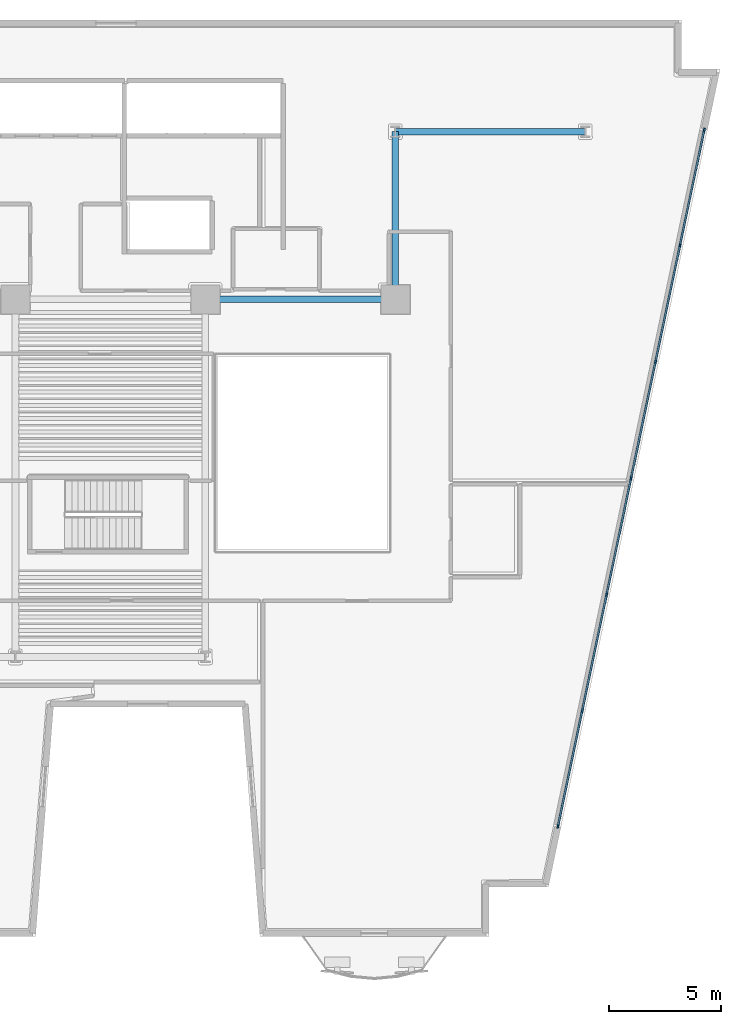
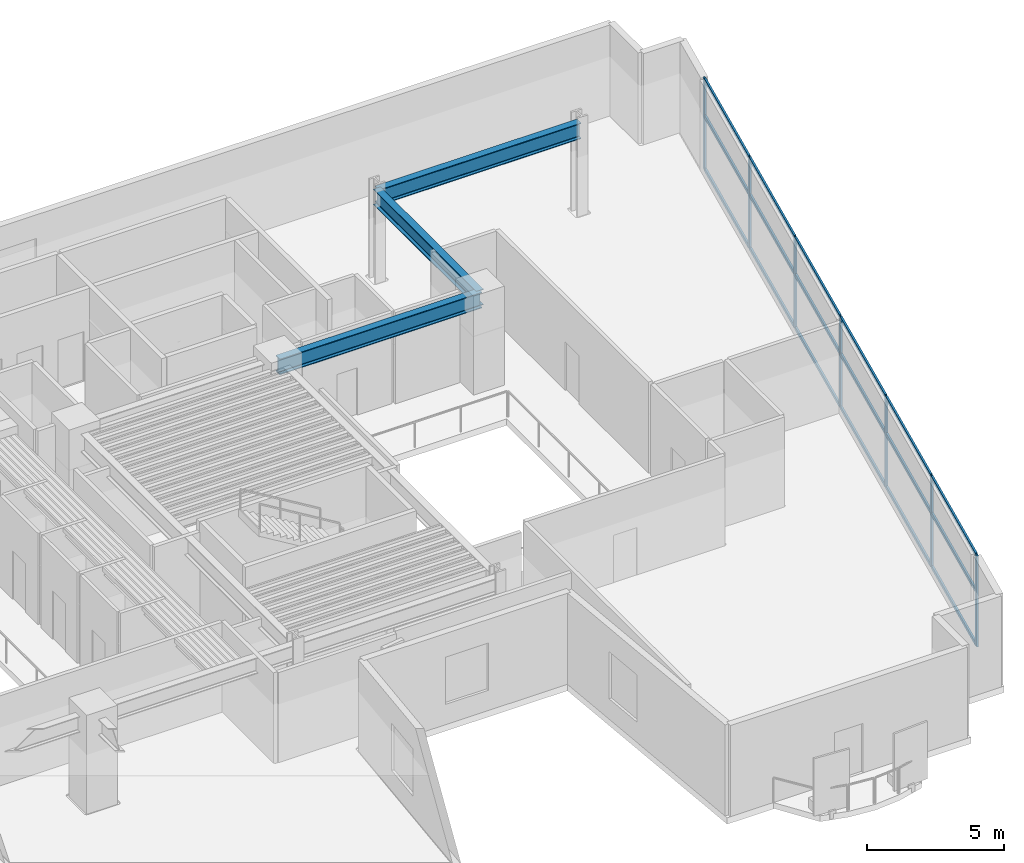
# One storey, part 2 of 11: 25 members, 3 beams, 1 element without a shape of its own.
"""IFC4 building model written with IfcOpenShell, lengths in metres."""

from ifc_helpers import new_model, si_unit, direction, frame, origin, origin_2d, place, context, subcontext, project, spatial, rectangle, i_section, extrude, material, layer, layer_set, material_profile, profile_set, type_object, element, aggregate, save


model = new_model("IFC4")

# Units and contexts
model_context = context("Model", 3, precision=1e-05, world=origin(), true_north=direction((0.0, 1.0)))
body_context = subcontext(model_context, "Body", "Model", "MODEL_VIEW")
ifc_project = project(units=[si_unit("LENGTHUNIT", "METRE"), si_unit("AREAUNIT", "SQUARE_METRE"), si_unit("VOLUMEUNIT", "CUBIC_METRE"), si_unit("PLANEANGLEUNIT", "RADIAN"), si_unit("MASSUNIT", "GRAM", prefix="KILO")], contexts=[model_context])

# Site, building, storey
site_placement = place(None, origin())
site = spatial("IfcSite", under=ifc_project, at=site_placement, CompositionType="ELEMENT")
building_placement = place(site_placement, origin())
building = spatial("IfcBuilding", under=site, at=building_placement, Name="Caeloran Harvest Quay", CompositionType="ELEMENT")
storey_placement = place(building_placement, frame((0.0, 0.0, 101.800048828125)))
storey = spatial("IfcBuildingStorey", under=building, at=storey_placement, Name="L23", CompositionType="ELEMENT", Elevation=101.800048828125)

# Beams
ifc_material_1 = material(Name="Steel S355J2", Category="steel")
ifc_material_profile_1 = material_profile(ifc_material_1, i_section(OverallWidth=0.300048828125, OverallDepth=0.699951171875, WebThickness=0.01708984375, FlangeThickness=0.031982421875, FilletRadius=0.027099609375, at=origin_2d()), Name="HE 700 B")
ifc_profile_set_1 = profile_set([ifc_material_profile_1], Name="Steel S355J2")
beam_type = type_object("IfcBeamType", Name="BM-PG-2-HE_700_B", PredefinedType="BEAM", material=ifc_profile_set_1)
for number, where, z_axis, x_axis, name in (
    (1, (34.0, 31.0, 3.699951171875), (1.0, 0.0, 0.0), (0.0, 1.0, 0.0), "L23 Primary East-West Girder Y=31.0"),
    (2, (42.5, 38.5, 3.699951171875), (1.0, 0.0, 0.0), (0.0, 1.0, 0.0), "L23 Primary East-West Girder Y=38.5"),
):
    element("IfcBeam", number, at=place(storey_placement, frame(where, z_axis=z_axis, x_axis=x_axis)), inside=storey, type_object=beam_type, Name=name, PredefinedType="BEAM", context=body_context, shape_type="SweptSolid", body=[
        extrude(i_section(OverallWidth=0.300048828125, OverallDepth=0.699951171875, WebThickness=0.01708984375, FlangeThickness=0.031982421875, FilletRadius=0.027099609375, at=origin_2d()), origin(), (0.0, 0.0, 1.0), 8.5),
    ])
beam_placement = place(storey_placement, frame((42.5, 31.0, 3.699951171875), z_axis=(0.0, 1.0, 0.0), x_axis=(-1.0, 0.0, 0.0)))
element("IfcBeam", 3, at=beam_placement, inside=storey, type_object=beam_type, Name="L23 Primary North-South Girder X=42.5", PredefinedType="BEAM", context=body_context, shape_type="SweptSolid", body=[
    extrude(i_section(OverallWidth=0.300048828125, OverallDepth=0.699951171875, WebThickness=0.01708984375, FlangeThickness=0.031982421875, FilletRadius=0.027099609375, at=origin_2d()), origin(), (0.0, 0.0, 1.0), 7.5),
])

# Curtain wall, members
ifc_material_2 = material(Name="Aluminium 6063-T6 and Low-E Glazing", Category="aluminium")
ifc_layer = layer(ifc_material_2, 0.199951171875, Name="Aluminium 6063-T6 and Low-E Glazing")
ifc_layer_set = layer_set([ifc_layer], Name="Aluminium 6063-T6 and Low-E Glazing")
curtain_wall_type = type_object("IfcCurtainWallType", Name="CW-SYS-CW-2", PredefinedType="USERDEFINED", material=ifc_layer_set)
curtain_wall_placement = place(storey_placement, origin())
curtain_wall = element("IfcCurtainWall", 4, at=curtain_wall_placement, inside=storey, type_object=curtain_wall_type, Name="L23 Unitised Curtain Wall CW-2 Run 9", ObjectType="CURTAIN_WALL", PredefinedType="USERDEFINED")
ifc_material_3 = material(Name="Aluminium 6063-T6", Category="aluminium")
ifc_material_profile_2 = material_profile(ifc_material_3, rectangle(XDim=0.080078125, YDim=0.179931640625, at=origin_2d()), Name="CW-MULLION-180")
ifc_profile_set_2 = profile_set([ifc_material_profile_2], Name="Aluminium 6063-T6")
member_type_1 = type_object("IfcMemberType", Name="CW-MULLION-180", PredefinedType="MULLION", material=ifc_profile_set_2)
member_1_placement = place(storey_placement, frame((56.322509765625, 38.576416015625, 0.0), z_axis=(0.0, 0.0, 1.0), x_axis=(0.978639691881, -0.205582960081, 0.0)))
member_1 = element("IfcMember", 5, at=member_1_placement, type_object=member_type_1, Name="CW-2 mullion 1", PredefinedType="MULLION", context=body_context, shape_type="SweptSolid", body=[
    extrude(rectangle(XDim=0.080078125, YDim=0.179931640625, at=origin_2d()), origin(), (0.0, 0.0, 1.0), 4.050048828125),
])
member_2_placement = place(storey_placement, frame((55.2373046875, 33.410400390625, 0.0), z_axis=(0.0, 0.0, 1.0), x_axis=(0.978639691881, -0.205582960081, 0.0)))
member_2 = element("IfcMember", 6, at=member_2_placement, type_object=member_type_1, Name="CW-2 mullion 2", PredefinedType="MULLION", context=body_context, shape_type="SweptSolid", body=[
    extrude(rectangle(XDim=0.080078125, YDim=0.179931640625, at=origin_2d()), origin(), (0.0, 0.0, 1.0), 4.050048828125),
])
member_3_placement = place(storey_placement, frame((54.143798828125, 28.205078125, 0.0), z_axis=(0.0, 0.0, 1.0), x_axis=(0.978639691881, -0.205582960081, 0.0)))
member_3 = element("IfcMember", 7, at=member_3_placement, type_object=member_type_1, Name="CW-2 mullion 3", PredefinedType="MULLION", context=body_context, shape_type="SweptSolid", body=[
    extrude(rectangle(XDim=0.080078125, YDim=0.179931640625, at=origin_2d()), origin(), (0.0, 0.0, 1.0), 4.050048828125),
])
member_4_placement = place(storey_placement, frame((53.050537109375, 23.0, 0.0), z_axis=(0.0, 0.0, 1.0), x_axis=(0.978639691881, -0.205582960081, 0.0)))
member_4 = element("IfcMember", 8, at=member_4_placement, type_object=member_type_1, Name="CW-2 mullion 4", PredefinedType="MULLION", context=body_context, shape_type="SweptSolid", body=[
    extrude(rectangle(XDim=0.080078125, YDim=0.179931640625, at=origin_2d()), origin(), (0.0, 0.0, 1.0), 4.050048828125),
])
member_5_placement = place(storey_placement, frame((51.95703125, 17.794921875, 0.0), z_axis=(0.0, 0.0, 1.0), x_axis=(0.978639691881, -0.205582960081, 0.0)))
member_5 = element("IfcMember", 9, at=member_5_placement, type_object=member_type_1, Name="CW-2 mullion 5", PredefinedType="MULLION", context=body_context, shape_type="SweptSolid", body=[
    extrude(rectangle(XDim=0.080078125, YDim=0.179931640625, at=origin_2d()), origin(), (0.0, 0.0, 1.0), 4.050048828125),
])
member_6_placement = place(storey_placement, frame((50.863525390625, 12.589599609375, 0.0), z_axis=(0.0, 0.0, 1.0), x_axis=(0.978639691881, -0.205582960081, 0.0)))
member_6 = element("IfcMember", 10, at=member_6_placement, type_object=member_type_1, Name="CW-2 mullion 6", PredefinedType="MULLION", context=body_context, shape_type="SweptSolid", body=[
    extrude(rectangle(XDim=0.080078125, YDim=0.179931640625, at=origin_2d()), origin(), (0.0, 0.0, 1.0), 4.050048828125),
])
member_7_placement = place(storey_placement, frame((49.7783203125, 7.423583984375, 0.0), z_axis=(0.0, 0.0, 1.0), x_axis=(0.978639691881, -0.205582960081, 0.0)))
member_7 = element("IfcMember", 11, at=member_7_placement, type_object=member_type_1, Name="CW-2 mullion 7", PredefinedType="MULLION", context=body_context, shape_type="SweptSolid", body=[
    extrude(rectangle(XDim=0.080078125, YDim=0.179931640625, at=origin_2d()), origin(), (0.0, 0.0, 1.0), 4.050048828125),
])
ifc_material_profile_3 = material_profile(ifc_material_3, rectangle(XDim=0.080078125, YDim=0.14990234375, at=origin_2d()), Name="CW-TRANSOM-150")
ifc_profile_set_3 = profile_set([ifc_material_profile_3], Name="Aluminium 6063-T6")
member_type_2 = type_object("IfcMemberType", Name="CW-TRANSOM-150", PredefinedType="USERDEFINED", material=ifc_profile_set_3)
member_8_placement = place(storey_placement, frame((56.314453125, 38.537109375, 0.0400390625), z_axis=(-0.205598644178, -0.978636396989, 0.0), x_axis=(0.978636396989, -0.205598644178, 0.0)))
member_8 = element("IfcMember", 12, at=member_8_placement, type_object=member_type_2, Name="CW-2 transom 1.1", ObjectType="TRANSOM", PredefinedType="USERDEFINED", context=body_context, shape_type="SweptSolid", body=[
    extrude(rectangle(XDim=0.080078125, YDim=0.14990234375, at=origin_2d()), origin(), (0.0, 0.0, 1.0), 5.19873046875),
])
member_9_placement = place(storey_placement, frame((56.314453125, 38.537109375, 2.39990234375), z_axis=(-0.205598644178, -0.978636396989, 0.0), x_axis=(0.978636396989, -0.205598644178, 0.0)))
member_9 = element("IfcMember", 13, at=member_9_placement, type_object=member_type_2, Name="CW-2 transom 1.2", ObjectType="TRANSOM", PredefinedType="USERDEFINED", context=body_context, shape_type="SweptSolid", body=[
    extrude(rectangle(XDim=0.080078125, YDim=0.14990234375, at=origin_2d()), origin(), (0.0, 0.0, 1.0), 5.19873046875),
])
member_10_placement = place(storey_placement, frame((56.314453125, 38.537109375, 4.010009765625), z_axis=(-0.205598644178, -0.978636396989, 0.0), x_axis=(0.978636396989, -0.205598644178, 0.0)))
member_10 = element("IfcMember", 14, at=member_10_placement, type_object=member_type_2, Name="CW-2 transom 1.3", ObjectType="TRANSOM", PredefinedType="USERDEFINED", context=body_context, shape_type="SweptSolid", body=[
    extrude(rectangle(XDim=0.080078125, YDim=0.14990234375, at=origin_2d()), origin(), (0.0, 0.0, 1.0), 5.19873046875),
])
member_11_placement = place(storey_placement, frame((55.229248046875, 33.37109375, 0.0400390625), z_axis=(-0.205615877389, -0.97863277636, 0.0), x_axis=(0.97863277636, -0.205615877389, 0.0)))
member_11 = element("IfcMember", 15, at=member_11_placement, type_object=member_type_2, Name="CW-2 transom 2.1", ObjectType="TRANSOM", PredefinedType="USERDEFINED", context=body_context, shape_type="SweptSolid", body=[
    extrude(rectangle(XDim=0.080078125, YDim=0.14990234375, at=origin_2d()), origin(), (0.0, 0.0, 1.0), 5.238525390625),
])
member_12_placement = place(storey_placement, frame((55.229248046875, 33.37109375, 2.39990234375), z_axis=(-0.205615877389, -0.97863277636, 0.0), x_axis=(0.97863277636, -0.205615877389, 0.0)))
member_12 = element("IfcMember", 16, at=member_12_placement, type_object=member_type_2, Name="CW-2 transom 2.2", ObjectType="TRANSOM", PredefinedType="USERDEFINED", context=body_context, shape_type="SweptSolid", body=[
    extrude(rectangle(XDim=0.080078125, YDim=0.14990234375, at=origin_2d()), origin(), (0.0, 0.0, 1.0), 5.238525390625),
])
member_13_placement = place(storey_placement, frame((55.229248046875, 33.37109375, 4.010009765625), z_axis=(-0.205615877389, -0.97863277636, 0.0), x_axis=(0.97863277636, -0.205615877389, 0.0)))
member_13 = element("IfcMember", 17, at=member_13_placement, type_object=member_type_2, Name="CW-2 transom 2.3", ObjectType="TRANSOM", PredefinedType="USERDEFINED", context=body_context, shape_type="SweptSolid", body=[
    extrude(rectangle(XDim=0.080078125, YDim=0.14990234375, at=origin_2d()), origin(), (0.0, 0.0, 1.0), 5.238525390625),
])
member_14_placement = place(storey_placement, frame((54.1357421875, 28.166015625, 0.0400390625), z_axis=(-0.205606500081, -0.978634746534, 0.0), x_axis=(0.978634746534, -0.205606500081, 0.0)))
member_14 = element("IfcMember", 18, at=member_14_placement, type_object=member_type_2, Name="CW-2 transom 3.1", ObjectType="TRANSOM", PredefinedType="USERDEFINED", context=body_context, shape_type="SweptSolid", body=[
    extrude(rectangle(XDim=0.080078125, YDim=0.14990234375, at=origin_2d()), origin(), (0.0, 0.0, 1.0), 5.23876953125),
])
member_15_placement = place(storey_placement, frame((54.1357421875, 28.166015625, 2.39990234375), z_axis=(-0.205606500081, -0.978634746534, 0.0), x_axis=(0.978634746534, -0.205606500081, 0.0)))
member_15 = element("IfcMember", 19, at=member_15_placement, type_object=member_type_2, Name="CW-2 transom 3.2", ObjectType="TRANSOM", PredefinedType="USERDEFINED", context=body_context, shape_type="SweptSolid", body=[
    extrude(rectangle(XDim=0.080078125, YDim=0.14990234375, at=origin_2d()), origin(), (0.0, 0.0, 1.0), 5.23876953125),
])
member_16_placement = place(storey_placement, frame((54.1357421875, 28.166015625, 4.010009765625), z_axis=(-0.205606500081, -0.978634746534, 0.0), x_axis=(0.978634746534, -0.205606500081, 0.0)))
member_16 = element("IfcMember", 20, at=member_16_placement, type_object=member_type_2, Name="CW-2 transom 3.3", ObjectType="TRANSOM", PredefinedType="USERDEFINED", context=body_context, shape_type="SweptSolid", body=[
    extrude(rectangle(XDim=0.080078125, YDim=0.14990234375, at=origin_2d()), origin(), (0.0, 0.0, 1.0), 5.23876953125),
])
member_17_placement = place(storey_placement, frame((53.042236328125, 22.9609375, 0.0400390625), z_axis=(-0.205561867825, -0.978644122496, 0.0), x_axis=(0.978644122496, -0.205561867825, 0.0)))
member_17 = element("IfcMember", 21, at=member_17_placement, type_object=member_type_2, Name="CW-2 transom 4.1", ObjectType="TRANSOM", PredefinedType="USERDEFINED", context=body_context, shape_type="SweptSolid", body=[
    extrude(rectangle(XDim=0.080078125, YDim=0.14990234375, at=origin_2d()), origin(), (0.0, 0.0, 1.0), 5.23876953125),
])
member_18_placement = place(storey_placement, frame((53.042236328125, 22.9609375, 2.39990234375), z_axis=(-0.205561867825, -0.978644122496, 0.0), x_axis=(0.978644122496, -0.205561867825, 0.0)))
member_18 = element("IfcMember", 22, at=member_18_placement, type_object=member_type_2, Name="CW-2 transom 4.2", ObjectType="TRANSOM", PredefinedType="USERDEFINED", context=body_context, shape_type="SweptSolid", body=[
    extrude(rectangle(XDim=0.080078125, YDim=0.14990234375, at=origin_2d()), origin(), (0.0, 0.0, 1.0), 5.23876953125),
])
member_19_placement = place(storey_placement, frame((53.042236328125, 22.9609375, 4.010009765625), z_axis=(-0.205561867825, -0.978644122496, 0.0), x_axis=(0.978644122496, -0.205561867825, 0.0)))
member_19 = element("IfcMember", 23, at=member_19_placement, type_object=member_type_2, Name="CW-2 transom 4.3", ObjectType="TRANSOM", PredefinedType="USERDEFINED", context=body_context, shape_type="SweptSolid", body=[
    extrude(rectangle(XDim=0.080078125, YDim=0.14990234375, at=origin_2d()), origin(), (0.0, 0.0, 1.0), 5.23876953125),
])
member_20_placement = place(storey_placement, frame((51.94873046875, 17.755615234375, 0.0400390625), z_axis=(-0.205571243277, -0.978642153158, 0.0), x_axis=(0.978642153158, -0.205571243277, 0.0)))
member_20 = element("IfcMember", 24, at=member_20_placement, type_object=member_type_2, Name="CW-2 transom 5.1", ObjectType="TRANSOM", PredefinedType="USERDEFINED", context=body_context, shape_type="SweptSolid", body=[
    extrude(rectangle(XDim=0.080078125, YDim=0.14990234375, at=origin_2d()), origin(), (0.0, 0.0, 1.0), 5.238525390625),
])
member_21_placement = place(storey_placement, frame((51.94873046875, 17.755615234375, 2.39990234375), z_axis=(-0.205571243277, -0.978642153158, 0.0), x_axis=(0.978642153158, -0.205571243277, 0.0)))
member_21 = element("IfcMember", 25, at=member_21_placement, type_object=member_type_2, Name="CW-2 transom 5.2", ObjectType="TRANSOM", PredefinedType="USERDEFINED", context=body_context, shape_type="SweptSolid", body=[
    extrude(rectangle(XDim=0.080078125, YDim=0.14990234375, at=origin_2d()), origin(), (0.0, 0.0, 1.0), 5.238525390625),
])
member_22_placement = place(storey_placement, frame((51.94873046875, 17.755615234375, 4.010009765625), z_axis=(-0.205571243277, -0.978642153158, 0.0), x_axis=(0.978642153158, -0.205571243277, 0.0)))
member_22 = element("IfcMember", 26, at=member_22_placement, type_object=member_type_2, Name="CW-2 transom 5.3", ObjectType="TRANSOM", PredefinedType="USERDEFINED", context=body_context, shape_type="SweptSolid", body=[
    extrude(rectangle(XDim=0.080078125, YDim=0.14990234375, at=origin_2d()), origin(), (0.0, 0.0, 1.0), 5.238525390625),
])
member_23_placement = place(storey_placement, frame((50.855224609375, 12.550537109375, 0.0400390625), z_axis=(-0.205553666865, -0.978645845052, 0.0), x_axis=(0.978645845052, -0.205553666865, 0.0)))
member_23 = element("IfcMember", 27, at=member_23_placement, type_object=member_type_2, Name="CW-2 transom 6.1", ObjectType="TRANSOM", PredefinedType="USERDEFINED", context=body_context, shape_type="SweptSolid", body=[
    extrude(rectangle(XDim=0.080078125, YDim=0.14990234375, at=origin_2d()), origin(), (0.0, 0.0, 1.0), 5.19873046875),
])
member_24_placement = place(storey_placement, frame((50.855224609375, 12.550537109375, 2.39990234375), z_axis=(-0.205553666865, -0.978645845052, 0.0), x_axis=(0.978645845052, -0.205553666865, 0.0)))
member_24 = element("IfcMember", 28, at=member_24_placement, type_object=member_type_2, Name="CW-2 transom 6.2", ObjectType="TRANSOM", PredefinedType="USERDEFINED", context=body_context, shape_type="SweptSolid", body=[
    extrude(rectangle(XDim=0.080078125, YDim=0.14990234375, at=origin_2d()), origin(), (0.0, 0.0, 1.0), 5.19873046875),
])
member_25_placement = place(storey_placement, frame((50.855224609375, 12.550537109375, 4.010009765625), z_axis=(-0.205553666865, -0.978645845052, 0.0), x_axis=(0.978645845052, -0.205553666865, 0.0)))
member_25 = element("IfcMember", 29, at=member_25_placement, type_object=member_type_2, Name="CW-2 transom 6.3", ObjectType="TRANSOM", PredefinedType="USERDEFINED", context=body_context, shape_type="SweptSolid", body=[
    extrude(rectangle(XDim=0.080078125, YDim=0.14990234375, at=origin_2d()), origin(), (0.0, 0.0, 1.0), 5.19873046875),
])
aggregate(curtain_wall, [member_1, member_2, member_3, member_4, member_5, member_6, member_7, member_8, member_9, member_10, member_11, member_12, member_13, member_14, member_15, member_16, member_17, member_18, member_19, member_20, member_21, member_22, member_23, member_24, member_25])

save(model, "model.ifc")
